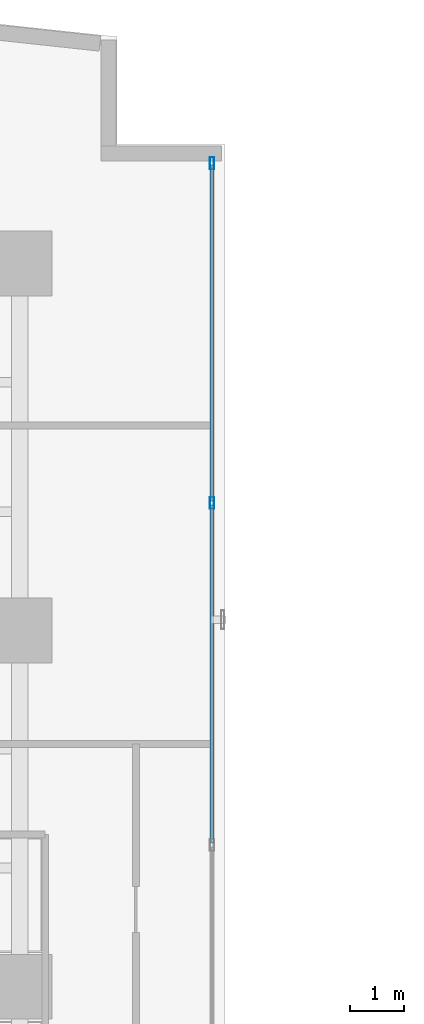
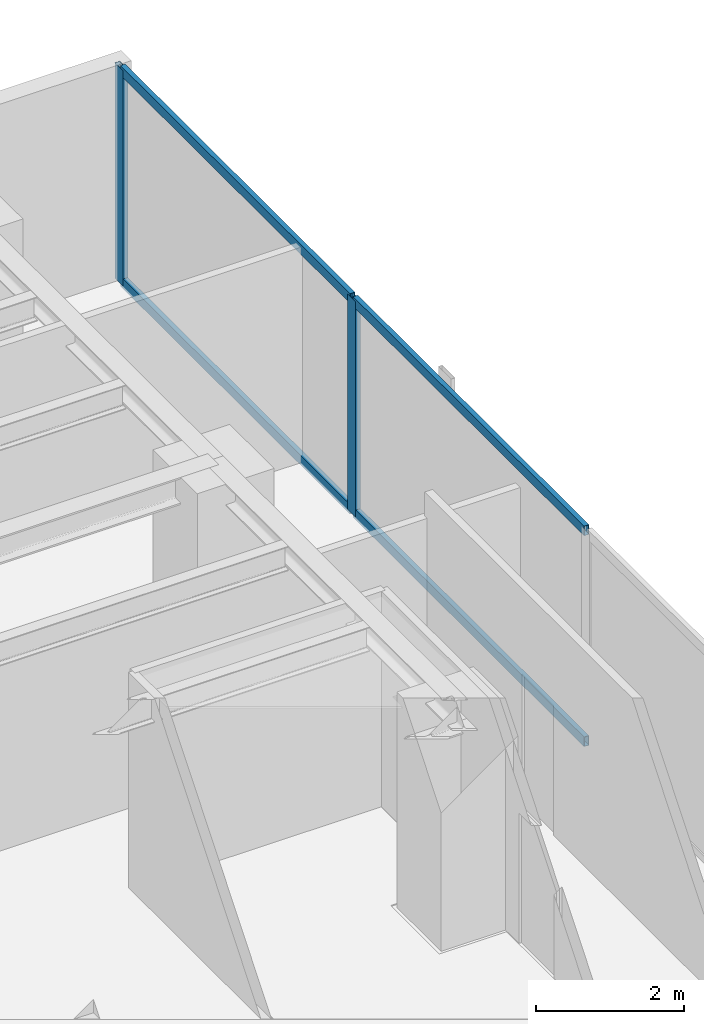
# One storey, part 18 of 27: 6 members, 1 element without a shape of its own.
"""IFC4 building model written with IfcOpenShell, lengths in metres."""

from ifc_helpers import new_model, si_unit, direction, frame, origin, origin_with_axes, origin_2d, place, context, subcontext, project, spatial, hollow_rectangle, extrude, source, transform, mapped, material, layer, layer_set, material_profile, profile_set, type_object, element, aggregate, save


model = new_model("IFC4")

# Units and contexts
model_context = context("Model", 3, precision=1e-05, world=origin(), true_north=direction((0.0, 1.0)))
body_context = subcontext(model_context, "Body", "Model", "MODEL_VIEW")
ifc_project = project(units=[si_unit("LENGTHUNIT", "METRE"), si_unit("AREAUNIT", "SQUARE_METRE"), si_unit("VOLUMEUNIT", "CUBIC_METRE"), si_unit("PLANEANGLEUNIT", "RADIAN"), si_unit("MASSUNIT", "GRAM", prefix="KILO")], contexts=[model_context])

# Site, building, storey
site_placement = place(None, origin())
site = spatial("IfcSite", under=ifc_project, at=site_placement, CompositionType="ELEMENT")
building_placement = place(site_placement, origin())
building = spatial("IfcBuilding", under=site, at=building_placement, Name="Kolvaren Waterfront Exchange", CompositionType="ELEMENT")
storey_placement = place(building_placement, frame((0.0, 0.0, 176.60009765625)))
storey = spatial("IfcBuildingStorey", under=building, at=storey_placement, Name="L45", CompositionType="ELEMENT", Elevation=176.60009765625)

# Curtain wall, members
ifc_material_1 = material(Name="Anodised bronze aluminium 6063-T6", Category="aluminium")
ifc_layer = layer(ifc_material_1, 0.219970703125, Name="Anodised bronze aluminium 6063-T6")
ifc_layer_set = layer_set([ifc_layer], Name="Anodised bronze aluminium 6063-T6")
curtain_wall_type = type_object("IfcCurtainWallType", Name="ARC-CW-SYS1", PredefinedType="USERDEFINED", material=ifc_layer_set)
curtain_wall_placement = place(storey_placement, origin())
curtain_wall = element("IfcCurtainWall", 1, at=curtain_wall_placement, inside=storey, type_object=curtain_wall_type, Name="L45 stick curtain wall CW1 (CW-L45-NE)", ObjectType="STICK CURTAIN WALL", PredefinedType="USERDEFINED")
ifc_material_2 = material(Name="Anodised aluminium 6063-T6", Category="aluminium")
ifc_material_profile_1 = material_profile(ifc_material_2, hollow_rectangle(XDim=0.074951171875, YDim=0.159912109375, WallThickness=0.00439453125, at=origin_2d()), Name="ALU-TRN-160x75x4.5")
ifc_profile_set_1 = profile_set([ifc_material_profile_1], Name="Anodised aluminium 6063-T6")
member_type_1 = type_object("IfcMemberType", Name="ARC-CWT-160", PredefinedType="USERDEFINED", material=ifc_profile_set_1)
shared_shape_1 = source(origin_with_axes(), body_context, "Body", "SweptSolid", [
    extrude(hollow_rectangle(XDim=0.074951171875, YDim=0.159912109375, WallThickness=0.00439453125, at=origin_2d()), origin(), (0.0, 0.0, 1.0), 6.216552734375),
])
member_1_placement = place(storey_placement, frame((22.360107421875, 40.203369140625, 0.037353515625), z_axis=(0.0, 1.0, 0.0), x_axis=(-1.0, 0.0, 0.0)))
member_1 = element("IfcMember", 2, at=member_1_placement, type_object=member_type_1, Name="CW1 transom 3.1", ObjectType="TRANSOM", PredefinedType="USERDEFINED", context=body_context, shape_type="MappedRepresentation", body=[
    mapped(shared_shape_1, transform((0.0, 0.0, 0.0), x_axis=(1.0, 0.0, 0.0), y_axis=(0.0, 1.0, 0.0), z_axis=(0.0, 0.0, 1.0), scale=1.0)),
])
member_2_placement = place(storey_placement, frame((22.360107421875, 40.203369140625, 3.5224609375), z_axis=(0.0, 1.0, 0.0), x_axis=(-1.0, 0.0, 0.0)))
member_2 = element("IfcMember", 3, at=member_2_placement, type_object=member_type_1, Name="CW1 transom 3.2", ObjectType="TRANSOM", PredefinedType="USERDEFINED", context=body_context, shape_type="MappedRepresentation", body=[
    mapped(shared_shape_1, transform((0.0, 0.0, 0.0), x_axis=(1.0, 0.0, 0.0), y_axis=(0.0, 1.0, 0.0), z_axis=(0.0, 0.0, 1.0), scale=1.0)),
])
shared_shape_2 = source(origin_with_axes(), body_context, "Body", "SweptSolid", [
    extrude(hollow_rectangle(XDim=0.074951171875, YDim=0.159912109375, WallThickness=0.00439453125, at=origin_2d()), origin(), (0.0, 0.0, 1.0), 6.256591796875),
])
member_3_placement = place(storey_placement, frame((22.360107421875, 33.86669921875, 0.037353515625), z_axis=(0.0, 1.0, 0.0), x_axis=(-1.0, 0.0, 0.0)))
member_3 = element("IfcMember", 4, at=member_3_placement, type_object=member_type_1, Name="CW1 transom 2.1", ObjectType="TRANSOM", PredefinedType="USERDEFINED", context=body_context, shape_type="MappedRepresentation", body=[
    mapped(shared_shape_2, transform((0.0, 0.0, 0.0), x_axis=(1.0, 0.0, 0.0), y_axis=(0.0, 1.0, 0.0), z_axis=(0.0, 0.0, 1.0), scale=1.0)),
])
member_4_placement = place(storey_placement, frame((22.360107421875, 33.86669921875, 3.5224609375), z_axis=(0.0, 1.0, 0.0), x_axis=(-1.0, 0.0, 0.0)))
member_4 = element("IfcMember", 5, at=member_4_placement, type_object=member_type_1, Name="CW1 transom 2.2", ObjectType="TRANSOM", PredefinedType="USERDEFINED", context=body_context, shape_type="MappedRepresentation", body=[
    mapped(shared_shape_2, transform((0.0, 0.0, 0.0), x_axis=(1.0, 0.0, 0.0), y_axis=(0.0, 1.0, 0.0), z_axis=(0.0, 0.0, 1.0), scale=1.0)),
])
ifc_material_profile_2 = material_profile(ifc_material_2, hollow_rectangle(XDim=0.080078125, YDim=0.219970703125, WallThickness=0.0048828125, at=origin_2d()), Name="ALU-MUL-220x80x5")
ifc_profile_set_2 = profile_set([ifc_material_profile_2], Name="Anodised aluminium 6063-T6")
member_type_2 = type_object("IfcMemberType", Name="ARC-CWM-220", PredefinedType="MULLION", material=ifc_profile_set_2)
shared_shape_3 = source(origin_with_axes(), body_context, "Body", "SweptSolid", [
    extrude(hollow_rectangle(XDim=0.080078125, YDim=0.219970703125, WallThickness=0.0048828125, at=origin_2d()), origin(), (0.0, 0.0, 1.0), 3.559814453125),
])
member_5_placement = place(storey_placement, frame((22.360107421875, 40.163330078125, 0.0), z_axis=(0.0, 0.0, 1.0), x_axis=(-1.0, 0.0, 0.0)))
member_5 = element("IfcMember", 6, at=member_5_placement, type_object=member_type_2, Name="CW1 mullion 3", PredefinedType="MULLION", context=body_context, shape_type="MappedRepresentation", body=[
    mapped(shared_shape_3, transform((0.0, 0.0, 0.0), x_axis=(1.0, 0.0, 0.0), y_axis=(0.0, 1.0, 0.0), z_axis=(0.0, 0.0, 1.0), scale=1.0)),
])
member_6_placement = place(storey_placement, frame((22.360107421875, 46.4599609375, 0.0), z_axis=(0.0, 0.0, 1.0), x_axis=(-1.0, 0.0, 0.0)))
member_6 = element("IfcMember", 7, at=member_6_placement, type_object=member_type_2, Name="CW1 mullion 4", PredefinedType="MULLION", context=body_context, shape_type="MappedRepresentation", body=[
    mapped(shared_shape_3, transform((0.0, 0.0, 0.0), x_axis=(1.0, 0.0, 0.0), y_axis=(0.0, 1.0, 0.0), z_axis=(0.0, 0.0, 1.0), scale=1.0)),
])
aggregate(curtain_wall, [member_5, member_6, member_3, member_4, member_1, member_2])

save(model, "model.ifc")
